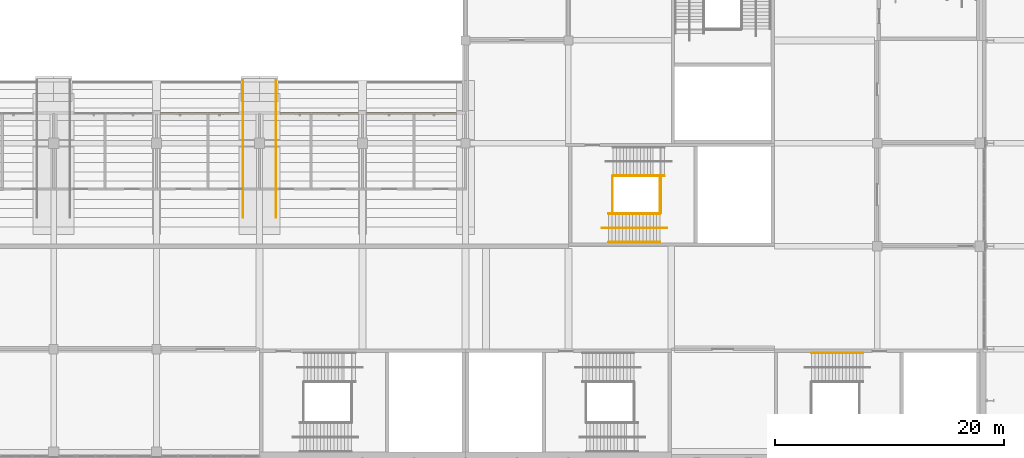
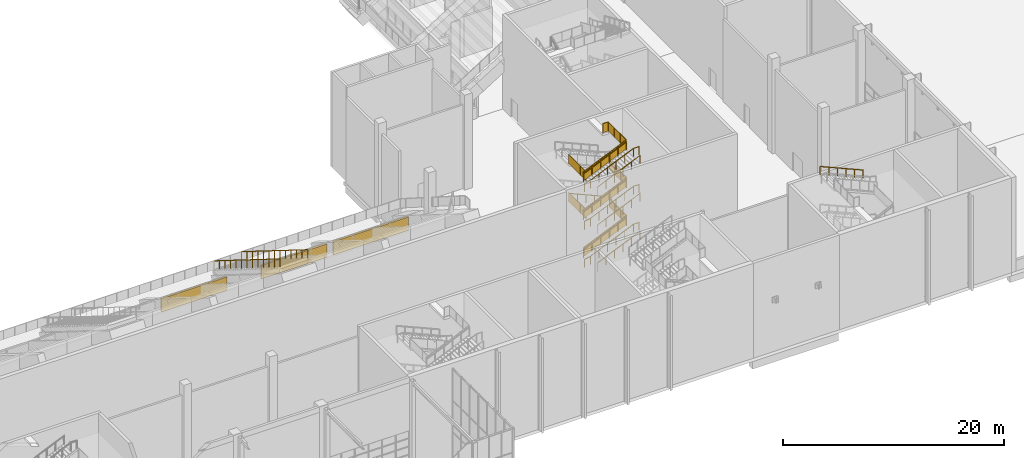
# One storey, part 159 of 182: 21 railings, 3 coverings.
"""IFC4 building model written with IfcOpenShell, lengths in metres."""

from ifc_helpers import new_model, si_unit, direction, frame, origin, origin_2d, place, context, subcontext, project, spatial, polyline, circle, outline, extrude, material, layer, layer_set, type_object, element, save


model = new_model("IFC4")

# Units and contexts
model_context = context("Model", 3, precision=1e-05, world=origin(), true_north=direction((0.0, 1.0)))
body_context = subcontext(model_context, "Body", "Model", "MODEL_VIEW")
ifc_project = project(units=[si_unit("LENGTHUNIT", "METRE"), si_unit("AREAUNIT", "SQUARE_METRE"), si_unit("VOLUMEUNIT", "CUBIC_METRE"), si_unit("PLANEANGLEUNIT", "RADIAN"), si_unit("MASSUNIT", "GRAM", prefix="KILO")], contexts=[model_context])

# Site, building, storey
site_placement = place(None, origin())
site = spatial("IfcSite", under=ifc_project, at=site_placement, CompositionType="ELEMENT")
building_placement = place(site_placement, origin())
building = spatial("IfcBuilding", under=site, at=building_placement, Name="Silverbay Arena", CompositionType="ELEMENT")
storey_placement = place(building_placement, frame((0.0, 0.0, 11.5)))
storey = spatial("IfcBuildingStorey", under=building, at=storey_placement, Name="L02", CompositionType="ELEMENT", Elevation=11.5)

# Railings
ifc_material_1 = material(Name="Stainless steel", Category="steel")
railing_type_1 = type_object("IfcRailingType", Name="Stair guard 1100", PredefinedType="GUARDRAIL", material=ifc_material_1)
railing_1_placement = place(storey_placement, frame((174.52587890625, 38.875, 0.13134765625)))
element("IfcRailing", 1, at=railing_1_placement, inside=storey, type_object=railing_type_1, Name="Stair ST-SE1 L02 to L03 flight 1 guard left", PredefinedType="GUARDRAIL", context=body_context, shape_type="SweptSolid", body=[
    extrude(circle(Radius=0.02392578125, at=origin_2d()), frame((0.0, 0.0, 1.076171875), z_axis=(0.916157334902, 0.0, 0.40081883402), x_axis=(0.0, 1.0, 0.0)), (0.0, 0.0, 1.0), 4.911865234375),
    extrude(outline(polyline([(-0.008056640625, 0.04638671875), (0.907958984375, 0.447265625), (0.907958984375, 1.4501953125), (-0.008056640625, 1.049560546875), (-0.008056640625, 0.04638671875)])), frame((0.0, 0.0029296875, 0.0), z_axis=(0.0, -1.0, 0.0), x_axis=(1.0, 0.0, 0.0)), (0.0, 0.0, 1.0), 0.006103515625),
    extrude(outline(polyline([(-0.008056640625, 0.440185546875), (0.907958984375, 0.841064453125), (0.907958984375, 1.843994140625), (-0.008056640625, 1.443359375), (-0.008056640625, 0.440185546875)])), frame((0.89990234375, 0.0029296875, 0.0), z_axis=(0.0, -1.0, 0.0), x_axis=(1.0, 0.0, 0.0)), (0.0, 0.0, 1.0), 0.006103515625),
    extrude(outline(polyline([(-0.008056640625, 0.833984375), (0.907958984375, 1.23486328125), (0.907958984375, 2.23779296875), (-0.008056640625, 1.8369140625), (-0.008056640625, 0.833984375)])), frame((1.800048828125, 0.0029296875, 0.0), z_axis=(0.0, -1.0, 0.0), x_axis=(1.0, 0.0, 0.0)), (0.0, 0.0, 1.0), 0.006103515625),
    extrude(outline(polyline([(-0.008056640625, 1.227783203125), (0.907958984375, 1.62841796875), (0.907958984375, 2.631591796875), (-0.008056640625, 2.230712890625), (-0.008056640625, 1.227783203125)])), frame((2.699951171875, 0.0029296875, 0.0), z_axis=(0.0, -1.0, 0.0), x_axis=(1.0, 0.0, 0.0)), (0.0, 0.0, 1.0), 0.006103515625),
    extrude(outline(polyline([(-0.008056640625, 1.62158203125), (0.907958984375, 2.022216796875), (0.907958984375, 3.025146484375), (-0.008056640625, 2.62451171875), (-0.008056640625, 1.62158203125)])), frame((3.60009765625, 0.0029296875, 0.0), z_axis=(0.0, -1.0, 0.0), x_axis=(1.0, 0.0, 0.0)), (0.0, 0.0, 1.0), 0.006103515625),
    extrude(circle(Radius=0.02099609375, at=origin_2d()), origin(), (0.0, 0.0, 1.0), 1.052001953125),
    extrude(circle(Radius=0.02099609375, at=origin_2d()), frame((0.89990234375, 0.0, 0.393798828125)), (0.0, 0.0, 1.0), 1.052001953125),
    extrude(circle(Radius=0.02099609375, at=origin_2d()), frame((1.800048828125, 0.0, 0.78759765625)), (0.0, 0.0, 1.0), 1.052001953125),
    extrude(circle(Radius=0.02099609375, at=origin_2d()), frame((2.699951171875, 0.0, 1.18115234375)), (0.0, 0.0, 1.0), 1.052001953125),
    extrude(circle(Radius=0.02099609375, at=origin_2d()), frame((3.60009765625, 0.0, 1.574951171875)), (0.0, 0.0, 1.0), 1.052001953125),
    extrude(circle(Radius=0.02099609375, at=origin_2d()), frame((4.5, 0.0, 1.96875)), (0.0, 0.0, 1.0), 1.052001953125),
])
railing_2_placement = place(storey_placement, frame((174.52587890625, 38.875, 4.331298828125)))
element("IfcRailing", 2, at=railing_2_placement, inside=storey, type_object=railing_type_1, Name="Stair ST-SE1 L02 to L03 flight 3 guard left", PredefinedType="GUARDRAIL", context=body_context, shape_type="SweptSolid", body=[
    extrude(circle(Radius=0.02392578125, at=origin_2d()), frame((0.0, 0.0, 1.076171875), z_axis=(0.916157334902, 0.0, 0.40081883402), x_axis=(0.0, 1.0, 0.0)), (0.0, 0.0, 1.0), 4.911865234375),
    extrude(outline(polyline([(-0.008056640625, 0.04638671875), (0.907958984375, 0.447265625), (0.907958984375, 1.4501953125), (-0.008056640625, 1.049560546875), (-0.008056640625, 0.04638671875)])), frame((0.0, 0.0029296875, 0.0), z_axis=(0.0, -1.0, 0.0), x_axis=(1.0, 0.0, 0.0)), (0.0, 0.0, 1.0), 0.006103515625),
    extrude(outline(polyline([(-0.008056640625, 0.440185546875), (0.907958984375, 0.841064453125), (0.907958984375, 1.843994140625), (-0.008056640625, 1.443359375), (-0.008056640625, 0.440185546875)])), frame((0.89990234375, 0.0029296875, 0.0), z_axis=(0.0, -1.0, 0.0), x_axis=(1.0, 0.0, 0.0)), (0.0, 0.0, 1.0), 0.006103515625),
    extrude(outline(polyline([(-0.008056640625, 0.833984375), (0.907958984375, 1.23486328125), (0.907958984375, 2.23779296875), (-0.008056640625, 1.8369140625), (-0.008056640625, 0.833984375)])), frame((1.800048828125, 0.0029296875, 0.0), z_axis=(0.0, -1.0, 0.0), x_axis=(1.0, 0.0, 0.0)), (0.0, 0.0, 1.0), 0.006103515625),
    extrude(outline(polyline([(-0.008056640625, 1.227783203125), (0.907958984375, 1.62841796875), (0.907958984375, 2.631591796875), (-0.008056640625, 2.230712890625), (-0.008056640625, 1.227783203125)])), frame((2.699951171875, 0.0029296875, 0.0), z_axis=(0.0, -1.0, 0.0), x_axis=(1.0, 0.0, 0.0)), (0.0, 0.0, 1.0), 0.006103515625),
    extrude(outline(polyline([(-0.008056640625, 1.62158203125), (0.907958984375, 2.022216796875), (0.907958984375, 3.025146484375), (-0.008056640625, 2.62451171875), (-0.008056640625, 1.62158203125)])), frame((3.60009765625, 0.0029296875, 0.0), z_axis=(0.0, -1.0, 0.0), x_axis=(1.0, 0.0, 0.0)), (0.0, 0.0, 1.0), 0.006103515625),
    extrude(circle(Radius=0.02099609375, at=origin_2d()), origin(), (0.0, 0.0, 1.0), 1.052001953125),
    extrude(circle(Radius=0.02099609375, at=origin_2d()), frame((0.89990234375, 0.0, 0.393798828125)), (0.0, 0.0, 1.0), 1.052001953125),
    extrude(circle(Radius=0.02099609375, at=origin_2d()), frame((1.800048828125, 0.0, 0.78759765625)), (0.0, 0.0, 1.0), 1.052001953125),
    extrude(circle(Radius=0.02099609375, at=origin_2d()), frame((2.699951171875, 0.0, 1.18115234375)), (0.0, 0.0, 1.0), 1.052001953125),
    extrude(circle(Radius=0.02099609375, at=origin_2d()), frame((3.60009765625, 0.0, 1.574951171875)), (0.0, 0.0, 1.0), 1.052001953125),
    extrude(circle(Radius=0.02099609375, at=origin_2d()), frame((4.5, 0.0, 1.96875)), (0.0, 0.0, 1.0), 1.052001953125),
])
railing_3_placement = place(storey_placement, frame((174.52587890625, 38.875, 8.53125)))
element("IfcRailing", 3, at=railing_3_placement, inside=storey, type_object=railing_type_1, Name="Stair ST-SE1 L02 to L03 flight 5 guard left", PredefinedType="GUARDRAIL", context=body_context, shape_type="SweptSolid", body=[
    extrude(circle(Radius=0.02392578125, at=origin_2d()), frame((0.0, 0.0, 1.076171875), z_axis=(0.916157334902, 0.0, 0.40081883402), x_axis=(0.0, 1.0, 0.0)), (0.0, 0.0, 1.0), 4.911865234375),
    extrude(outline(polyline([(-0.008056640625, 0.04638671875), (0.907958984375, 0.447265625), (0.907958984375, 1.4501953125), (-0.008056640625, 1.049560546875), (-0.008056640625, 0.04638671875)])), frame((0.0, 0.0029296875, 0.0), z_axis=(0.0, -1.0, 0.0), x_axis=(1.0, 0.0, 0.0)), (0.0, 0.0, 1.0), 0.006103515625),
    extrude(outline(polyline([(-0.008056640625, 0.440185546875), (0.907958984375, 0.841064453125), (0.907958984375, 1.843994140625), (-0.008056640625, 1.443359375), (-0.008056640625, 0.440185546875)])), frame((0.89990234375, 0.0029296875, 0.0), z_axis=(0.0, -1.0, 0.0), x_axis=(1.0, 0.0, 0.0)), (0.0, 0.0, 1.0), 0.006103515625),
    extrude(outline(polyline([(-0.008056640625, 0.833984375), (0.907958984375, 1.23486328125), (0.907958984375, 2.23779296875), (-0.008056640625, 1.8369140625), (-0.008056640625, 0.833984375)])), frame((1.800048828125, 0.0029296875, 0.0), z_axis=(0.0, -1.0, 0.0), x_axis=(1.0, 0.0, 0.0)), (0.0, 0.0, 1.0), 0.006103515625),
    extrude(outline(polyline([(-0.008056640625, 1.227783203125), (0.907958984375, 1.62841796875), (0.907958984375, 2.631591796875), (-0.008056640625, 2.230712890625), (-0.008056640625, 1.227783203125)])), frame((2.699951171875, 0.0029296875, 0.0), z_axis=(0.0, -1.0, 0.0), x_axis=(1.0, 0.0, 0.0)), (0.0, 0.0, 1.0), 0.006103515625),
    extrude(outline(polyline([(-0.008056640625, 1.62158203125), (0.907958984375, 2.022216796875), (0.907958984375, 3.025146484375), (-0.008056640625, 2.62451171875), (-0.008056640625, 1.62158203125)])), frame((3.60009765625, 0.0029296875, 0.0), z_axis=(0.0, -1.0, 0.0), x_axis=(1.0, 0.0, 0.0)), (0.0, 0.0, 1.0), 0.006103515625),
    extrude(circle(Radius=0.02099609375, at=origin_2d()), origin(), (0.0, 0.0, 1.0), 1.052001953125),
    extrude(circle(Radius=0.02099609375, at=origin_2d()), frame((0.89990234375, 0.0, 0.393798828125)), (0.0, 0.0, 1.0), 1.052001953125),
    extrude(circle(Radius=0.02099609375, at=origin_2d()), frame((1.800048828125, 0.0, 0.78759765625)), (0.0, 0.0, 1.0), 1.052001953125),
    extrude(circle(Radius=0.02099609375, at=origin_2d()), frame((2.699951171875, 0.0, 1.18115234375)), (0.0, 0.0, 1.0), 1.052001953125),
    extrude(circle(Radius=0.02099609375, at=origin_2d()), frame((3.60009765625, 0.0, 1.574951171875)), (0.0, 0.0, 1.0), 1.052001953125),
    extrude(circle(Radius=0.02099609375, at=origin_2d()), frame((4.5, 0.0, 1.96875)), (0.0, 0.0, 1.0), 1.052001953125),
])
for number, where, name in (
    (4, (179.07568359375, 42.10009765625, 2.10009765625), "Stair ST-SE1 L02 to L03 landing 1 guard"),
    (5, (174.85009765625, 42.10009765625, 4.199951171875), "Stair ST-SE1 L02 to L03 landing 2 guard"),
    (6, (179.07568359375, 42.10009765625, 6.300048828125), "Stair ST-SE1 L02 to L03 landing 3 guard"),
    (7, (174.85009765625, 42.10009765625, 8.39990234375), "Stair ST-SE1 L02 to L03 landing 4 guard"),
):
    element("IfcRailing", number, at=place(storey_placement, frame(where)), inside=storey, type_object=railing_type_1, Name=name, PredefinedType="GUARDRAIL", context=body_context, shape_type="SweptSolid", body=[
        extrude(circle(Radius=0.02392578125, at=origin_2d()), frame((0.0, 0.0, 1.076171875), z_axis=(0.0, -1.0, 0.0), x_axis=(1.0, 0.0, 0.0)), (0.0, 0.0, 1.0), 3.2001953125),
        extrude(outline(polyline([(-0.008056640625, 0.050048828125), (1.07470703125, 0.050048828125), (1.07470703125, 1.052978515625), (-0.008056640625, 1.052978515625), (-0.008056640625, 0.050048828125)])), frame((0.0029296875, 0.0, 0.0), z_axis=(-1.0, 0.0, 0.0), x_axis=(0.0, -1.0, 0.0)), (0.0, 0.0, 1.0), 0.006103515625),
        extrude(outline(polyline([(-0.008056640625, 0.050048828125), (1.07470703125, 0.050048828125), (1.07470703125, 1.052978515625), (-0.008056640625, 1.052978515625), (-0.008056640625, 0.050048828125)])), frame((0.0029296875, -1.066650390625, 0.0), z_axis=(-1.0, 0.0, 0.0), x_axis=(0.0, -1.0, 0.0)), (0.0, 0.0, 1.0), 0.006103515625),
        extrude(outline(polyline([(-0.008056640625, 0.050048828125), (1.07470703125, 0.050048828125), (1.07470703125, 1.052978515625), (-0.008056640625, 1.052978515625), (-0.008056640625, 0.050048828125)])), frame((0.0029296875, -2.133544921875, 0.0), z_axis=(-1.0, 0.0, 0.0), x_axis=(0.0, -1.0, 0.0)), (0.0, 0.0, 1.0), 0.006103515625),
        extrude(circle(Radius=0.02099609375, at=origin_2d()), origin(), (0.0, 0.0, 1.0), 1.052001953125),
        extrude(circle(Radius=0.02099609375, at=origin_2d()), frame((0.0, -1.066650390625, 0.0)), (0.0, 0.0, 1.0), 1.052001953125),
        extrude(circle(Radius=0.02099609375, at=origin_2d()), frame((0.0, -2.133544921875, 0.0)), (0.0, 0.0, 1.0), 1.052001953125),
        extrude(circle(Radius=0.02099609375, at=origin_2d()), frame((0.0, -3.2001953125, 0.0)), (0.0, 0.0, 1.0), 1.052001953125),
    ])
railing_4_placement = place(storey_placement, frame((178.449951171875, 42.14990234375, 10.5)))
element("IfcRailing", 8, at=railing_4_placement, inside=storey, type_object=railing_type_1, Name="Stair ST-SE1 L02 to L03 landing 5 guard", PredefinedType="GUARDRAIL", context=body_context, shape_type="SweptSolid", body=[
    extrude(circle(Radius=0.02392578125, at=origin_2d()), frame((0.0, 0.0, 1.076171875), z_axis=(1.0, 0.0, 0.0), x_axis=(0.0, 1.0, 0.0)), (0.0, 0.0, 1.0), 0.575927734375),
    extrude(outline(polyline([(-0.008056640625, 0.050048828125), (0.583984375, 0.050048828125), (0.583984375, 1.052978515625), (-0.008056640625, 1.052978515625), (-0.008056640625, 0.050048828125)])), frame((0.0, 0.0029296875, 0.0), z_axis=(0.0, -1.0, 0.0), x_axis=(1.0, 0.0, 0.0)), (0.0, 0.0, 1.0), 0.006103515625),
    extrude(circle(Radius=0.02392578125, at=origin_2d()), frame((0.575927734375, 0.0, 1.076171875), z_axis=(0.0, -1.0, 0.0), x_axis=(1.0, 0.0, 0.0)), (0.0, 0.0, 1.0), 3.25),
    extrude(outline(polyline([(-0.008056640625, 0.050048828125), (1.09130859375, 0.050048828125), (1.09130859375, 1.052978515625), (-0.008056640625, 1.052978515625), (-0.008056640625, 0.050048828125)])), frame((0.578857421875, 0.0, 0.0), z_axis=(-1.0, 0.0, 0.0), x_axis=(0.0, -1.0, 0.0)), (0.0, 0.0, 1.0), 0.006103515625),
    extrude(outline(polyline([(-0.008056640625, 0.050048828125), (1.09130859375, 0.050048828125), (1.09130859375, 1.052978515625), (-0.008056640625, 1.052978515625), (-0.008056640625, 0.050048828125)])), frame((0.578857421875, -1.083251953125, 0.0), z_axis=(-1.0, 0.0, 0.0), x_axis=(0.0, -1.0, 0.0)), (0.0, 0.0, 1.0), 0.006103515625),
    extrude(outline(polyline([(-0.008056640625, 0.050048828125), (1.09130859375, 0.050048828125), (1.09130859375, 1.052978515625), (-0.008056640625, 1.052978515625), (-0.008056640625, 0.050048828125)])), frame((0.578857421875, -2.166748046875, 0.0), z_axis=(-1.0, 0.0, 0.0), x_axis=(0.0, -1.0, 0.0)), (0.0, 0.0, 1.0), 0.006103515625),
    extrude(circle(Radius=0.02099609375, at=origin_2d()), origin(), (0.0, 0.0, 1.0), 1.052001953125),
    extrude(circle(Radius=0.02099609375, at=origin_2d()), frame((0.575927734375, 0.0, 0.0)), (0.0, 0.0, 1.0), 1.052001953125),
    extrude(circle(Radius=0.02099609375, at=origin_2d()), frame((0.575927734375, -1.083251953125, 0.0)), (0.0, 0.0, 1.0), 1.052001953125),
    extrude(circle(Radius=0.02099609375, at=origin_2d()), frame((0.575927734375, -2.166748046875, 0.0)), (0.0, 0.0, 1.0), 1.052001953125),
    extrude(circle(Radius=0.02099609375, at=origin_2d()), frame((0.575927734375, -3.25, 0.0)), (0.0, 0.0, 1.0), 1.052001953125),
])
ifc_material_2 = material(Name="Stainless steel", Category="steel")
railing_type_2 = type_object("IfcRailingType", Name="Stair handrail 900", PredefinedType="HANDRAIL", material=ifc_material_2)
railing_5_placement = place(storey_placement, frame((196.774169921875, 26.64990234375, 8.53125)))
element("IfcRailing", 9, at=railing_5_placement, inside=storey, type_object=railing_type_2, Name="Stair ST-S6 L02 to L03 flight 5 handrail left", PredefinedType="HANDRAIL", context=body_context, shape_type="SweptSolid", body=[
    extrude(circle(Radius=0.02392578125, at=origin_2d()), frame((0.0, 0.0, 0.8759765625), z_axis=(-0.916157334902, 0.0, 0.40081883402), x_axis=(0.0, -1.0, 0.0)), (0.0, 0.0, 1.0), 4.911865234375),
    extrude(circle(Radius=0.02099609375, at=origin_2d()), origin(), (0.0, 0.0, 1.0), 0.851806640625),
    extrude(circle(Radius=0.02099609375, at=origin_2d()), frame((-0.89990234375, 0.0, 0.393798828125)), (0.0, 0.0, 1.0), 0.851806640625),
    extrude(circle(Radius=0.02099609375, at=origin_2d()), frame((-1.800048828125, 0.0, 0.78759765625)), (0.0, 0.0, 1.0), 0.851806640625),
    extrude(circle(Radius=0.02099609375, at=origin_2d()), frame((-2.699951171875, 0.0, 1.18115234375)), (0.0, 0.0, 1.0), 0.851806640625),
    extrude(circle(Radius=0.02099609375, at=origin_2d()), frame((-3.60009765625, 0.0, 1.574951171875)), (0.0, 0.0, 1.0), 0.851806640625),
    extrude(circle(Radius=0.02099609375, at=origin_2d()), frame((-4.5, 0.0, 1.96875)), (0.0, 0.0, 1.0), 0.851806640625),
])
for number, where, name in (
    (10, (174.52587890625, 38.8359375, 0.13134765625), "Stair ST-SE1 L02 to L03 flight 1 handrail left"),
    (11, (174.52587890625, 36.35009765625, 0.13134765625), "Stair ST-SE1 L02 to L03 flight 1 handrail right"),
):
    element("IfcRailing", number, at=place(storey_placement, frame(where)), inside=storey, type_object=railing_type_2, Name=name, PredefinedType="HANDRAIL", context=body_context, shape_type="SweptSolid", body=[
        extrude(circle(Radius=0.02392578125, at=origin_2d()), frame((0.0, 0.0, 0.8759765625), z_axis=(0.916157334902, 0.0, 0.40081883402), x_axis=(0.0, 1.0, 0.0)), (0.0, 0.0, 1.0), 4.911865234375),
        extrude(circle(Radius=0.02099609375, at=origin_2d()), origin(), (0.0, 0.0, 1.0), 0.851806640625),
        extrude(circle(Radius=0.02099609375, at=origin_2d()), frame((0.89990234375, 0.0, 0.393798828125)), (0.0, 0.0, 1.0), 0.851806640625),
        extrude(circle(Radius=0.02099609375, at=origin_2d()), frame((1.800048828125, 0.0, 0.78759765625)), (0.0, 0.0, 1.0), 0.851806640625),
        extrude(circle(Radius=0.02099609375, at=origin_2d()), frame((2.699951171875, 0.0, 1.18115234375)), (0.0, 0.0, 1.0), 0.851806640625),
        extrude(circle(Radius=0.02099609375, at=origin_2d()), frame((3.60009765625, 0.0, 1.574951171875)), (0.0, 0.0, 1.0), 0.851806640625),
        extrude(circle(Radius=0.02099609375, at=origin_2d()), frame((4.5, 0.0, 1.96875)), (0.0, 0.0, 1.0), 0.851806640625),
    ])
railing_6_placement = place(storey_placement, frame((173.92578125, 37.60009765625, 0.0)))
element("IfcRailing", 12, at=railing_6_placement, inside=storey, type_object=railing_type_2, Name="Stair ST-SE1 L02 to L03 flight 1 central handrail", PredefinedType="HANDRAIL", context=body_context, shape_type="SweptSolid", body=[
    extrude(circle(Radius=0.02392578125, at=origin_2d()), frame((0.0, 0.0, 0.8759765625), z_axis=(0.976874083041, 0.0, 0.213815401414), x_axis=(0.0, 1.0, 0.0)), (0.0, 0.0, 1.0), 0.6142578125),
    extrude(circle(Radius=0.02392578125, at=origin_2d()), frame((0.60009765625, 0.0, 1.00732421875), z_axis=(0.916157334902, 0.0, 0.40081883402), x_axis=(0.0, 1.0, 0.0)), (0.0, 0.0, 1.0), 4.911865234375),
    extrude(circle(Radius=0.02392578125, at=origin_2d()), frame((5.10009765625, 0.0, 2.97607421875), z_axis=(1.0, 0.0, 0.0), x_axis=(0.0, 1.0, 0.0)), (0.0, 0.0, 1.0), 0.599853515625),
    extrude(circle(Radius=0.02099609375, at=origin_2d()), origin(), (0.0, 0.0, 1.0), 0.851806640625),
    extrude(circle(Radius=0.02099609375, at=origin_2d()), frame((0.60009765625, 0.0, 0.13134765625)), (0.0, 0.0, 1.0), 0.851806640625),
    extrude(circle(Radius=0.02099609375, at=origin_2d()), frame((1.5, 0.0, 0.525146484375)), (0.0, 0.0, 1.0), 0.851806640625),
    extrude(circle(Radius=0.02099609375, at=origin_2d()), frame((2.400146484375, 0.0, 0.9189453125)), (0.0, 0.0, 1.0), 0.851806640625),
    extrude(circle(Radius=0.02099609375, at=origin_2d()), frame((3.300048828125, 0.0, 1.3125)), (0.0, 0.0, 1.0), 0.851806640625),
    extrude(circle(Radius=0.02099609375, at=origin_2d()), frame((4.2001953125, 0.0, 1.706298828125)), (0.0, 0.0, 1.0), 0.851806640625),
    extrude(circle(Radius=0.02099609375, at=origin_2d()), frame((5.10009765625, 0.0, 2.10009765625)), (0.0, 0.0, 1.0), 0.851806640625),
    extrude(circle(Radius=0.02099609375, at=origin_2d()), frame((5.699951171875, 0.0, 2.10009765625)), (0.0, 0.0, 1.0), 0.851806640625),
])
railing_7_placement = place(storey_placement, frame((179.39990234375, 42.1640625, 2.231201171875)))
element("IfcRailing", 13, at=railing_7_placement, inside=storey, type_object=railing_type_2, Name="Stair ST-SE1 L02 to L03 flight 2 handrail right", PredefinedType="HANDRAIL", context=body_context, shape_type="SweptSolid", body=[
    extrude(circle(Radius=0.02392578125, at=origin_2d()), frame((0.0, 0.0, 0.8759765625), z_axis=(-0.916157334902, 0.0, 0.40081883402), x_axis=(0.0, -1.0, 0.0)), (0.0, 0.0, 1.0), 4.911865234375),
    extrude(circle(Radius=0.02099609375, at=origin_2d()), origin(), (0.0, 0.0, 1.0), 0.851806640625),
    extrude(circle(Radius=0.02099609375, at=origin_2d()), frame((-0.89990234375, 0.0, 0.393798828125)), (0.0, 0.0, 1.0), 0.851806640625),
    extrude(circle(Radius=0.02099609375, at=origin_2d()), frame((-1.800048828125, 0.0, 0.78759765625)), (0.0, 0.0, 1.0), 0.851806640625),
    extrude(circle(Radius=0.02099609375, at=origin_2d()), frame((-2.699951171875, 0.0, 1.18115234375)), (0.0, 0.0, 1.0), 0.851806640625),
    extrude(circle(Radius=0.02099609375, at=origin_2d()), frame((-3.60009765625, 0.0, 1.574951171875)), (0.0, 0.0, 1.0), 0.851806640625),
    extrude(circle(Radius=0.02099609375, at=origin_2d()), frame((-4.5, 0.0, 1.96875)), (0.0, 0.0, 1.0), 0.851806640625),
])
for number, where, name in (
    (14, (174.52587890625, 38.8359375, 4.331298828125), "Stair ST-SE1 L02 to L03 flight 3 handrail left"),
    (15, (174.52587890625, 36.35009765625, 4.331298828125), "Stair ST-SE1 L02 to L03 flight 3 handrail right"),
):
    element("IfcRailing", number, at=place(storey_placement, frame(where)), inside=storey, type_object=railing_type_2, Name=name, PredefinedType="HANDRAIL", context=body_context, shape_type="SweptSolid", body=[
        extrude(circle(Radius=0.02392578125, at=origin_2d()), frame((0.0, 0.0, 0.8759765625), z_axis=(0.916157334902, 0.0, 0.40081883402), x_axis=(0.0, 1.0, 0.0)), (0.0, 0.0, 1.0), 4.911865234375),
        extrude(circle(Radius=0.02099609375, at=origin_2d()), origin(), (0.0, 0.0, 1.0), 0.851806640625),
        extrude(circle(Radius=0.02099609375, at=origin_2d()), frame((0.89990234375, 0.0, 0.393798828125)), (0.0, 0.0, 1.0), 0.851806640625),
        extrude(circle(Radius=0.02099609375, at=origin_2d()), frame((1.800048828125, 0.0, 0.78759765625)), (0.0, 0.0, 1.0), 0.851806640625),
        extrude(circle(Radius=0.02099609375, at=origin_2d()), frame((2.699951171875, 0.0, 1.18115234375)), (0.0, 0.0, 1.0), 0.851806640625),
        extrude(circle(Radius=0.02099609375, at=origin_2d()), frame((3.60009765625, 0.0, 1.574951171875)), (0.0, 0.0, 1.0), 0.851806640625),
        extrude(circle(Radius=0.02099609375, at=origin_2d()), frame((4.5, 0.0, 1.96875)), (0.0, 0.0, 1.0), 0.851806640625),
    ])
railing_8_placement = place(storey_placement, frame((173.92578125, 37.60009765625, 4.199951171875)))
element("IfcRailing", 16, at=railing_8_placement, inside=storey, type_object=railing_type_2, Name="Stair ST-SE1 L02 to L03 flight 3 central handrail", PredefinedType="HANDRAIL", context=body_context, shape_type="SweptSolid", body=[
    extrude(circle(Radius=0.02392578125, at=origin_2d()), frame((0.0, 0.0, 0.8759765625), z_axis=(0.976874083041, 0.0, 0.213815401414), x_axis=(0.0, 1.0, 0.0)), (0.0, 0.0, 1.0), 0.6142578125),
    extrude(circle(Radius=0.02392578125, at=origin_2d()), frame((0.60009765625, 0.0, 1.00732421875), z_axis=(0.916157334902, 0.0, 0.40081883402), x_axis=(0.0, 1.0, 0.0)), (0.0, 0.0, 1.0), 4.911865234375),
    extrude(circle(Radius=0.02392578125, at=origin_2d()), frame((5.10009765625, 0.0, 2.97607421875), z_axis=(1.0, 0.0, 0.0), x_axis=(0.0, 1.0, 0.0)), (0.0, 0.0, 1.0), 0.599853515625),
    extrude(circle(Radius=0.02099609375, at=origin_2d()), origin(), (0.0, 0.0, 1.0), 0.851806640625),
    extrude(circle(Radius=0.02099609375, at=origin_2d()), frame((0.60009765625, 0.0, 0.13134765625)), (0.0, 0.0, 1.0), 0.851806640625),
    extrude(circle(Radius=0.02099609375, at=origin_2d()), frame((1.5, 0.0, 0.525146484375)), (0.0, 0.0, 1.0), 0.851806640625),
    extrude(circle(Radius=0.02099609375, at=origin_2d()), frame((2.400146484375, 0.0, 0.9189453125)), (0.0, 0.0, 1.0), 0.851806640625),
    extrude(circle(Radius=0.02099609375, at=origin_2d()), frame((3.300048828125, 0.0, 1.3125)), (0.0, 0.0, 1.0), 0.851806640625),
    extrude(circle(Radius=0.02099609375, at=origin_2d()), frame((4.2001953125, 0.0, 1.706298828125)), (0.0, 0.0, 1.0), 0.851806640625),
    extrude(circle(Radius=0.02099609375, at=origin_2d()), frame((5.10009765625, 0.0, 2.10009765625)), (0.0, 0.0, 1.0), 0.851806640625),
    extrude(circle(Radius=0.02099609375, at=origin_2d()), frame((5.699951171875, 0.0, 2.10009765625)), (0.0, 0.0, 1.0), 0.851806640625),
])
for number, where, name in (
    (17, (174.52587890625, 38.8359375, 8.53125), "Stair ST-SE1 L02 to L03 flight 5 handrail left"),
    (18, (174.52587890625, 36.35009765625, 8.53125), "Stair ST-SE1 L02 to L03 flight 5 handrail right"),
):
    element("IfcRailing", number, at=place(storey_placement, frame(where)), inside=storey, type_object=railing_type_2, Name=name, PredefinedType="HANDRAIL", context=body_context, shape_type="SweptSolid", body=[
        extrude(circle(Radius=0.02392578125, at=origin_2d()), frame((0.0, 0.0, 0.8759765625), z_axis=(0.916157334902, 0.0, 0.40081883402), x_axis=(0.0, 1.0, 0.0)), (0.0, 0.0, 1.0), 4.911865234375),
        extrude(circle(Radius=0.02099609375, at=origin_2d()), origin(), (0.0, 0.0, 1.0), 0.851806640625),
        extrude(circle(Radius=0.02099609375, at=origin_2d()), frame((0.89990234375, 0.0, 0.393798828125)), (0.0, 0.0, 1.0), 0.851806640625),
        extrude(circle(Radius=0.02099609375, at=origin_2d()), frame((1.800048828125, 0.0, 0.78759765625)), (0.0, 0.0, 1.0), 0.851806640625),
        extrude(circle(Radius=0.02099609375, at=origin_2d()), frame((2.699951171875, 0.0, 1.18115234375)), (0.0, 0.0, 1.0), 0.851806640625),
        extrude(circle(Radius=0.02099609375, at=origin_2d()), frame((3.60009765625, 0.0, 1.574951171875)), (0.0, 0.0, 1.0), 0.851806640625),
        extrude(circle(Radius=0.02099609375, at=origin_2d()), frame((4.5, 0.0, 1.96875)), (0.0, 0.0, 1.0), 0.851806640625),
    ])
railing_9_placement = place(storey_placement, frame((173.92578125, 37.60009765625, 8.39990234375)))
element("IfcRailing", 19, at=railing_9_placement, inside=storey, type_object=railing_type_2, Name="Stair ST-SE1 L02 to L03 flight 5 central handrail", PredefinedType="HANDRAIL", context=body_context, shape_type="SweptSolid", body=[
    extrude(circle(Radius=0.02392578125, at=origin_2d()), frame((0.0, 0.0, 0.8759765625), z_axis=(0.976874083041, 0.0, 0.213815401414), x_axis=(0.0, 1.0, 0.0)), (0.0, 0.0, 1.0), 0.6142578125),
    extrude(circle(Radius=0.02392578125, at=origin_2d()), frame((0.60009765625, 0.0, 1.00732421875), z_axis=(0.916157334902, 0.0, 0.40081883402), x_axis=(0.0, 1.0, 0.0)), (0.0, 0.0, 1.0), 4.911865234375),
    extrude(circle(Radius=0.02392578125, at=origin_2d()), frame((5.10009765625, 0.0, 2.97607421875), z_axis=(1.0, 0.0, 0.0), x_axis=(0.0, 1.0, 0.0)), (0.0, 0.0, 1.0), 0.599853515625),
    extrude(circle(Radius=0.02099609375, at=origin_2d()), origin(), (0.0, 0.0, 1.0), 0.851806640625),
    extrude(circle(Radius=0.02099609375, at=origin_2d()), frame((0.60009765625, 0.0, 0.13134765625)), (0.0, 0.0, 1.0), 0.851806640625),
    extrude(circle(Radius=0.02099609375, at=origin_2d()), frame((1.5, 0.0, 0.525146484375)), (0.0, 0.0, 1.0), 0.851806640625),
    extrude(circle(Radius=0.02099609375, at=origin_2d()), frame((2.400146484375, 0.0, 0.9189453125)), (0.0, 0.0, 1.0), 0.851806640625),
    extrude(circle(Radius=0.02099609375, at=origin_2d()), frame((3.300048828125, 0.0, 1.3125)), (0.0, 0.0, 1.0), 0.851806640625),
    extrude(circle(Radius=0.02099609375, at=origin_2d()), frame((4.2001953125, 0.0, 1.706298828125)), (0.0, 0.0, 1.0), 0.851806640625),
    extrude(circle(Radius=0.02099609375, at=origin_2d()), frame((5.10009765625, 0.0, 2.10009765625)), (0.0, 0.0, 1.0), 0.851806640625),
    extrude(circle(Radius=0.02099609375, at=origin_2d()), frame((5.699951171875, 0.0, 2.10009765625)), (0.0, 0.0, 1.0), 0.851806640625),
])
for number, where, name in (
    (20, (142.550048828125, 50.5, 3.0), "Vomitory stair V04 handrail left"),
    (21, (145.449951171875, 50.5, 3.0), "Vomitory stair V04 handrail right"),
):
    element("IfcRailing", number, at=place(storey_placement, frame(where)), inside=storey, type_object=railing_type_2, Name=name, PredefinedType="HANDRAIL", context=body_context, shape_type="SweptSolid", body=[
        extrude(circle(Radius=0.02392578125, at=origin_2d()), frame((0.0, 0.0, 0.8759765625), z_axis=(0.0, -0.847998304005, 0.529998940003), x_axis=(1.0, 0.0, 0.0)), (0.0, 0.0, 1.0), 14.15087890625),
        extrude(circle(Radius=0.02099609375, at=origin_2d()), origin(), (0.0, 0.0, 1.0), 0.851806640625),
        extrude(circle(Radius=0.02099609375, at=origin_2d()), frame((0.0, -1.0, 0.625)), (0.0, 0.0, 1.0), 0.851806640625),
        extrude(circle(Radius=0.02099609375, at=origin_2d()), frame((0.0, -2.0, 1.25)), (0.0, 0.0, 1.0), 0.851806640625),
        extrude(circle(Radius=0.02099609375, at=origin_2d()), frame((0.0, -3.0, 1.875)), (0.0, 0.0, 1.0), 0.851806640625),
        extrude(circle(Radius=0.02099609375, at=origin_2d()), frame((0.0, -4.0, 2.5)), (0.0, 0.0, 1.0), 0.851806640625),
        extrude(circle(Radius=0.02099609375, at=origin_2d()), frame((0.0, -5.0, 3.125)), (0.0, 0.0, 1.0), 0.851806640625),
        extrude(circle(Radius=0.02099609375, at=origin_2d()), frame((0.0, -6.0, 3.75)), (0.0, 0.0, 1.0), 0.851806640625),
        extrude(circle(Radius=0.02099609375, at=origin_2d()), frame((0.0, -7.0, 4.375)), (0.0, 0.0, 1.0), 0.851806640625),
        extrude(circle(Radius=0.02099609375, at=origin_2d()), frame((0.0, -8.0, 5.0)), (0.0, 0.0, 1.0), 0.851806640625),
        extrude(circle(Radius=0.02099609375, at=origin_2d()), frame((0.0, -9.0, 5.625)), (0.0, 0.0, 1.0), 0.851806640625),
        extrude(circle(Radius=0.02099609375, at=origin_2d()), frame((0.0, -10.0, 6.25)), (0.0, 0.0, 1.0), 0.851806640625),
        extrude(circle(Radius=0.02099609375, at=origin_2d()), frame((0.0, -11.0, 6.875)), (0.0, 0.0, 1.0), 0.851806640625),
        extrude(circle(Radius=0.02099609375, at=origin_2d()), frame((0.0, -12.0, 7.5)), (0.0, 0.0, 1.0), 0.851806640625),
    ])

# Coverings
ifc_material_3 = material(Name="Aluminium composite cladding", Category="aluminium")
ifc_layer = layer(ifc_material_3, 0.199951171875)
ifc_layer_set = layer_set([ifc_layer], Name="Aluminium composite cladding")
covering_type = type_object("IfcCoveringType", Name="Suite front fascia cladding 200", PredefinedType="CLADDING", material=ifc_layer_set)
covering_1_placement = place(storey_placement, frame((0.0, 0.0, 2.537109375)))
element("IfcCovering", 22, at=covering_1_placement, inside=storey, type_object=covering_type, Name="South suite front fascia 5", PredefinedType="CLADDING", context=body_context, shape_type="SweptSolid", body=[
    extrude(outline(polyline([(135.35009765625, 47.699951171875), (142.199951171875, 47.699951171875), (142.199951171875, 47.5), (135.35009765625, 47.5), (135.35009765625, 47.699951171875)])), origin(), (0.0, 0.0, 1.0), 1.496826171875),
])
covering_2_placement = place(storey_placement, frame((0.0, 0.0, 2.537109375)))
element("IfcCovering", 23, at=covering_2_placement, inside=storey, type_object=covering_type, Name="South suite front fascia 6", PredefinedType="CLADDING", context=body_context, shape_type="SweptSolid", body=[
    extrude(outline(polyline([(145.800048828125, 47.699951171875), (152.64990234375, 47.699951171875), (152.64990234375, 47.5), (145.800048828125, 47.5), (145.800048828125, 47.699951171875)])), origin(), (0.0, 0.0, 1.0), 1.496826171875),
])
covering_3_placement = place(storey_placement, frame((0.0, 0.0, 2.537109375)))
element("IfcCovering", 24, at=covering_3_placement, inside=storey, type_object=covering_type, Name="South suite front fascia 7", PredefinedType="CLADDING", context=body_context, shape_type="SweptSolid", body=[
    extrude(outline(polyline([(153.35009765625, 47.699951171875), (161.199951171875, 47.699951171875), (161.199951171875, 47.5), (153.35009765625, 47.5), (153.35009765625, 47.699951171875)])), origin(), (0.0, 0.0, 1.0), 1.496826171875),
])

save(model, "model.ifc")
